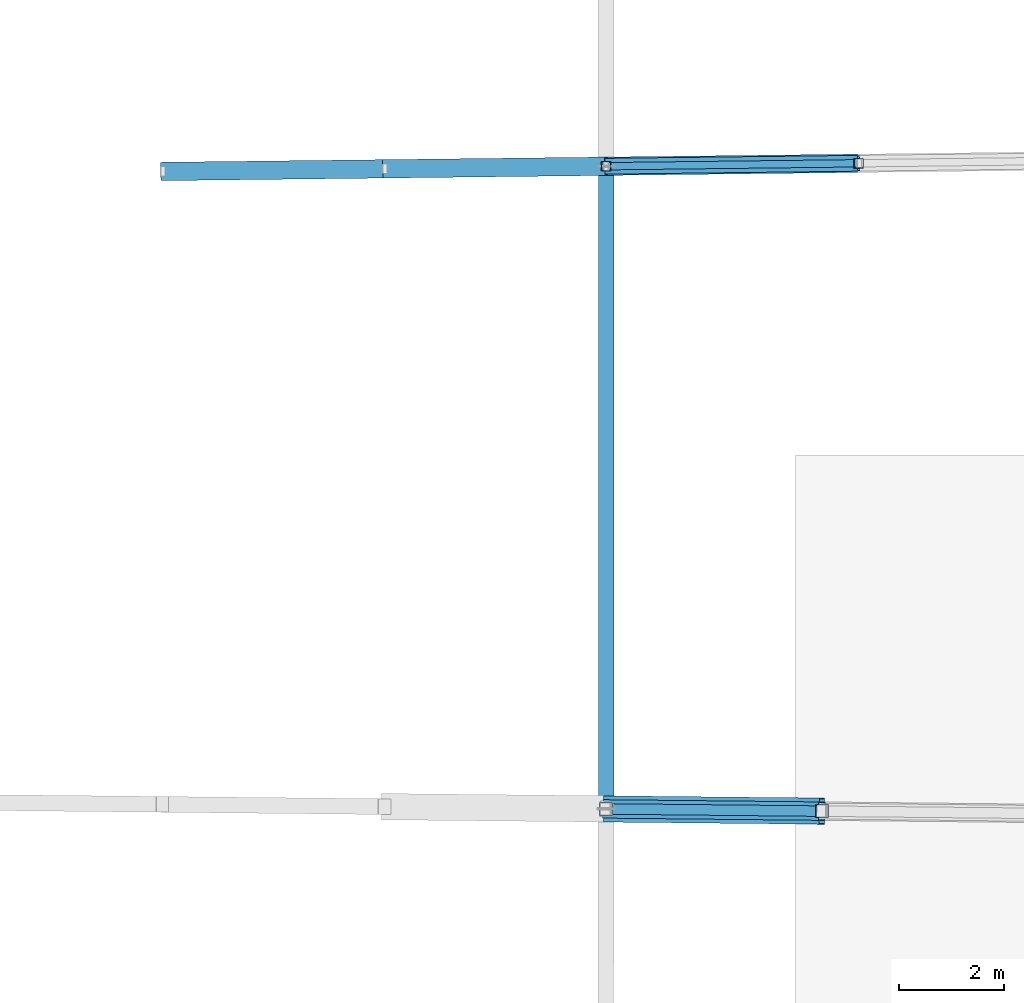
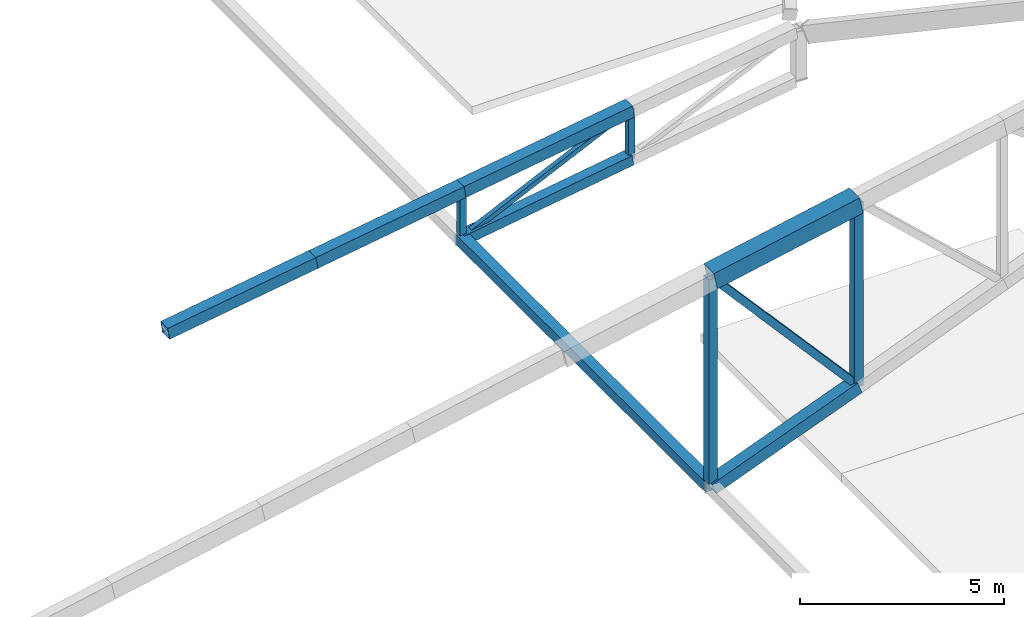
# One storey, part 56 of 188: 13 members.
"""IFC4 building model written with IfcOpenShell, lengths in metres."""

from ifc_helpers import new_model, si_unit, direction, frame, origin, origin_2d, place, context, subcontext, project, spatial, hollow_rectangle, extrude, material, material_profile, profile_set, type_object, element, save


model = new_model("IFC4")

# Units and contexts
model_context = context("Model", 3, precision=1e-05, world=origin(), true_north=direction((0.0, 1.0)))
body_context = subcontext(model_context, "Body", "Model", "MODEL_VIEW")
ifc_project = project(units=[si_unit("LENGTHUNIT", "METRE"), si_unit("AREAUNIT", "SQUARE_METRE"), si_unit("VOLUMEUNIT", "CUBIC_METRE"), si_unit("PLANEANGLEUNIT", "RADIAN"), si_unit("MASSUNIT", "GRAM", prefix="KILO")], contexts=[model_context])

# Site, building, storey
site_placement = place(None, origin())
site = spatial("IfcSite", under=ifc_project, at=site_placement, CompositionType="ELEMENT")
building_placement = place(site_placement, origin())
building = spatial("IfcBuilding", under=site, at=building_placement, Name="Meseta Stadium", CompositionType="ELEMENT")
storey_placement = place(building_placement, frame((0.0, 0.0, 30.0)))
storey = spatial("IfcBuildingStorey", under=building, at=storey_placement, Name="ROOF", CompositionType="ELEMENT", Elevation=30.0)

# Members
ifc_material_1 = material(Name="Steel S355", Category="steel")
ifc_material_profile_1 = material_profile(ifc_material_1, hollow_rectangle(XDim=0.139892578125, YDim=0.139892578125, WallThickness=0.0048828125, at=origin_2d()), Name="SHS 140x140x5")
ifc_profile_set_1 = profile_set([ifc_material_profile_1], Name="Steel S355")
member_type_1 = type_object("IfcMemberType", Name="SHS 140x140x5 diagonal", PredefinedType="BRACE", material=ifc_profile_set_1)
member_1_placement = place(storey_placement, frame((84.9970703125, 6.13720703125, 0.800048828125), z_axis=(0.910898756828, 0.010699019313, 0.412491194809), x_axis=(-0.01174475352, 0.999931028004, 0.0)))
element("IfcMember", 1, at=member_1_placement, inside=storey, type_object=member_type_1, Name="ROOF TRUSS RT-05 diagonal", PredefinedType="BRACE", context=body_context, shape_type="SweptSolid", body=[
    extrude(hollow_rectangle(XDim=0.139892578125, YDim=0.139892578125, WallThickness=0.0048828125, at=origin_2d()), origin(), (0.0, 0.0, 1.0), 5.271240234375),
])
ifc_material_2 = material(Name="Steel S355", Category="steel")
ifc_material_profile_2 = material_profile(ifc_material_2, hollow_rectangle(XDim=0.179931640625, YDim=0.179931640625, WallThickness=0.00634765625, at=origin_2d()), Name="SHS 180x180x6.3")
ifc_profile_set_2 = profile_set([ifc_material_profile_2], Name="Steel S355")
member_type_2 = type_object("IfcMemberType", Name="SHS 180x180x6.3 post", PredefinedType="POST", material=ifc_profile_set_2)
for number, where, z_axis, x_axis, name in (
    (2, (84.9970703125, 6.13720703125, 0.800048828125), (0.0, 0.0, 1.0), (1.0, 0.0, 0.0), "ROOF TRUSS RT-05 post"),
    (3, (89.798583984375, 6.193603515625, 1.4970703125), (0.0, 0.0, 1.0), (1.0, 0.0, 0.0), "ROOF TRUSS RT-05 post"),
):
    element("IfcMember", number, at=place(storey_placement, frame(where, z_axis=z_axis, x_axis=x_axis)), inside=storey, type_object=member_type_2, Name=name, PredefinedType="POST", context=body_context, shape_type="SweptSolid", body=[
        extrude(hollow_rectangle(XDim=0.179931640625, YDim=0.179931640625, WallThickness=0.00634765625, at=origin_2d()), origin(), (0.0, 0.0, 1.0), 1.477294921875),
    ])
ifc_material_3 = material(Name="Steel S355", Category="steel")
ifc_material_profile_3 = material_profile(ifc_material_3, hollow_rectangle(XDim=0.199951171875, YDim=0.199951171875, WallThickness=0.008056640625, at=origin_2d()), Name="SHS 200x200x8")
ifc_profile_set_3 = profile_set([ifc_material_profile_3], Name="Steel S355")
member_type_3 = type_object("IfcMemberType", Name="SHS 200x200x8 diagonal", PredefinedType="BRACE", material=ifc_profile_set_3)
member_2_placement = place(storey_placement, frame((84.99755859375, -6.081298828125, 7.06494140625), z_axis=(0.662104151596, -0.006819720066, -0.7493808003), x_axis=(0.010299525114, 0.999946958485, 0.0)))
element("IfcMember", 4, at=member_2_placement, inside=storey, type_object=member_type_3, Name="ROOF TRUSS RT-04 diagonal", PredefinedType="BRACE", context=body_context, shape_type="SweptSolid", body=[
    extrude(hollow_rectangle(XDim=0.199951171875, YDim=0.199951171875, WallThickness=0.008056640625, at=origin_2d()), origin(), (0.0, 0.0, 1.0), 6.193359375),
])
ifc_material_4 = material(Name="Steel S355", Category="steel")
ifc_material_profile_4 = material_profile(ifc_material_4, hollow_rectangle(XDim=0.25, YDim=0.25, WallThickness=0.010009765625, at=origin_2d()), Name="SHS 250x250x10")
ifc_profile_set_4 = profile_set([ifc_material_profile_4], Name="Steel S355")
member_type_4 = type_object("IfcMemberType", Name="SHS 250x250x10 post", PredefinedType="POST", material=ifc_profile_set_4)
member_3_placement = place(storey_placement, frame((84.99755859375, -6.081298828125, 0.800048828125), z_axis=(0.0, 0.0, 1.0), x_axis=(1.0, 0.0, 0.0)))
element("IfcMember", 5, at=member_3_placement, inside=storey, type_object=member_type_4, Name="ROOF TRUSS RT-04 post", PredefinedType="POST", context=body_context, shape_type="SweptSolid", body=[
    extrude(hollow_rectangle(XDim=0.25, YDim=0.25, WallThickness=0.010009765625, at=origin_2d()), origin(), (0.0, 0.0, 1.0), 6.264892578125),
])
member_4_placement = place(storey_placement, frame((89.09814453125, -6.12353515625, 2.423828125), z_axis=(0.0, 0.0, 1.0), x_axis=(1.0, 0.0, 0.0)))
element("IfcMember", 6, at=member_4_placement, inside=storey, type_object=member_type_4, Name="ROOF TRUSS RT-04 post", PredefinedType="POST", context=body_context, shape_type="SweptSolid", body=[
    extrude(hollow_rectangle(XDim=0.25, YDim=0.25, WallThickness=0.010009765625, at=origin_2d()), origin(), (0.0, 0.0, 1.0), 5.5),
])
ifc_material_5 = material(Name="Steel S355", Category="steel")
ifc_material_profile_5 = material_profile(ifc_material_5, hollow_rectangle(XDim=0.300048828125, YDim=0.300048828125, WallThickness=0.010009765625, at=origin_2d()), Name="SHS 300x300x10")
ifc_profile_set_5 = profile_set([ifc_material_profile_5], Name="Steel S355")
member_type_5 = type_object("IfcMemberType", Name="SHS 300x300x10 bottom chord", PredefinedType="CHORD", material=ifc_profile_set_5)
member_5_placement = place(storey_placement, frame((84.9970703125, 6.13720703125, 0.800048828125), z_axis=(0.989560081082, 0.011622940903, 0.143651499033), x_axis=(-0.01174475352, 0.999931028004, 0.0)))
element("IfcMember", 7, at=member_5_placement, inside=storey, type_object=member_type_5, Name="ROOF TRUSS RT-05 bottom chord", PredefinedType="CHORD", context=body_context, shape_type="SweptSolid", body=[
    extrude(hollow_rectangle(XDim=0.300048828125, YDim=0.300048828125, WallThickness=0.010009765625, at=origin_2d()), origin(), (0.0, 0.0, 1.0), 4.85205078125),
])
ifc_material_6 = material(Name="Steel S355", Category="steel")
ifc_material_profile_6 = material_profile(ifc_material_6, hollow_rectangle(XDim=0.300048828125, YDim=0.300048828125, WallThickness=0.010009765625, at=origin_2d()), Name="SHS 300x300x10")
ifc_profile_set_6 = profile_set([ifc_material_profile_6], Name="Steel S355")
member_type_6 = type_object("IfcMemberType", Name="SHS 300x300x10 pivot strut", PredefinedType="STRUT", material=ifc_profile_set_6)
member_6_placement = place(storey_placement, frame((84.99755859375, -6.081298828125, 0.800048828125), z_axis=(-3.9962435e-05, 0.999999999202, 0.0), x_axis=(-0.999999999202, -3.9962435e-05, 0.0)))
element("IfcMember", 8, at=member_6_placement, inside=storey, type_object=member_type_6, Name="ROOF PIVOT STRUT RT-04/05", PredefinedType="STRUT", context=body_context, shape_type="SweptSolid", body=[
    extrude(hollow_rectangle(XDim=0.300048828125, YDim=0.300048828125, WallThickness=0.010009765625, at=origin_2d()), origin(), (0.0, 0.0, 1.0), 12.218505859375),
])
ifc_material_7 = material(Name="Steel S355", Category="steel")
ifc_material_profile_7 = material_profile(ifc_material_7, hollow_rectangle(XDim=0.35009765625, YDim=0.35009765625, WallThickness=0.010009765625, at=origin_2d()), Name="SHS 350x350x10")
ifc_profile_set_7 = profile_set([ifc_material_profile_7], Name="Steel S355")
member_type_7 = type_object("IfcMemberType", Name="SHS 350x350x10 bottom chord", PredefinedType="CHORD", material=ifc_profile_set_7)
member_7_placement = place(storey_placement, frame((84.99755859375, -6.081298828125, 0.800048828125), z_axis=(0.929715035899, -0.009576131294, 0.36815519789), x_axis=(0.010299525114, 0.999946958485, 0.0)))
element("IfcMember", 9, at=member_7_placement, inside=storey, type_object=member_type_7, Name="ROOF TRUSS RT-04 bottom chord", PredefinedType="CHORD", context=body_context, shape_type="SweptSolid", body=[
    extrude(hollow_rectangle(XDim=0.35009765625, YDim=0.35009765625, WallThickness=0.010009765625, at=origin_2d()), origin(), (0.0, 0.0, 1.0), 4.41064453125),
])
ifc_material_8 = material(Name="Steel S355", Category="steel")
ifc_material_profile_8 = material_profile(ifc_material_8, hollow_rectangle(XDim=0.35009765625, YDim=0.35009765625, WallThickness=0.010009765625, at=origin_2d()), Name="SHS 350x350x10")
ifc_profile_set_8 = profile_set([ifc_material_profile_8], Name="Steel S355")
member_type_8 = type_object("IfcMemberType", Name="SHS 350x350x10 top chord", PredefinedType="CHORD", material=ifc_profile_set_8)
for number, where, z_axis, x_axis, name in (
    (10, (76.55322265625, 6.0380859375, 1.0517578125), (0.989563195146, 0.011616337744, 0.143630579993), (-0.011738045144, 0.999931106775, 0.0), "ROOF TRUSS RT-05 top chord"),
    (11, (80.775146484375, 6.087646484375, 1.66455078125), (0.989563195146, 0.011616337744, 0.143630579993), (-0.011738045144, 0.999931106775, 0.0), "ROOF TRUSS RT-05 top chord"),
):
    element("IfcMember", number, at=place(storey_placement, frame(where, z_axis=z_axis, x_axis=x_axis)), inside=storey, type_object=member_type_8, Name=name, PredefinedType="CHORD", context=body_context, shape_type="SweptSolid", body=[
        extrude(hollow_rectangle(XDim=0.35009765625, YDim=0.35009765625, WallThickness=0.010009765625, at=origin_2d()), origin(), (0.0, 0.0, 1.0), 4.266357421875),
    ])
member_8_placement = place(storey_placement, frame((84.9970703125, 6.13720703125, 2.27734375), z_axis=(0.989560081082, 0.011622940903, 0.143651499033), x_axis=(-0.01174475352, 0.999931028004, 0.0)))
element("IfcMember", 12, at=member_8_placement, inside=storey, type_object=member_type_8, Name="ROOF TRUSS RT-05 top chord", PredefinedType="CHORD", context=body_context, shape_type="SweptSolid", body=[
    extrude(hollow_rectangle(XDim=0.35009765625, YDim=0.35009765625, WallThickness=0.010009765625, at=origin_2d()), origin(), (0.0, 0.0, 1.0), 4.85205078125),
])
ifc_material_9 = material(Name="Steel S355", Category="steel")
ifc_material_profile_9 = material_profile(ifc_material_9, hollow_rectangle(XDim=0.5, YDim=0.5, WallThickness=0.01611328125, at=origin_2d()), Name="SHS 500x500x16")
ifc_profile_set_9 = profile_set([ifc_material_profile_9], Name="Steel S355")
member_type_9 = type_object("IfcMemberType", Name="SHS 500x500x16 top chord", PredefinedType="CHORD", material=ifc_profile_set_9)
member_9_placement = place(storey_placement, frame((84.99755859375, -6.081298828125, 7.06494140625), z_axis=(0.97871099001, -0.010080793122, 0.204995550301), x_axis=(0.010299525114, 0.999946958485, 0.0)))
element("IfcMember", 13, at=member_9_placement, inside=storey, type_object=member_type_9, Name="ROOF TRUSS RT-04 top chord", PredefinedType="CHORD", context=body_context, shape_type="SweptSolid", body=[
    extrude(hollow_rectangle(XDim=0.5, YDim=0.5, WallThickness=0.01611328125, at=origin_2d()), origin(), (0.0, 0.0, 1.0), 4.189697265625),
])

save(model, "model.ifc")
